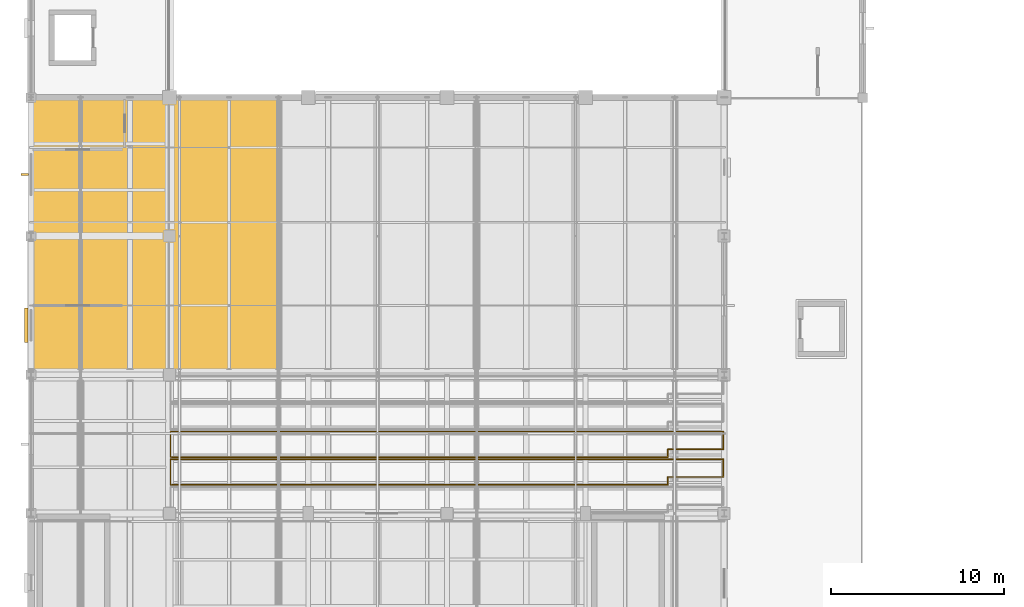
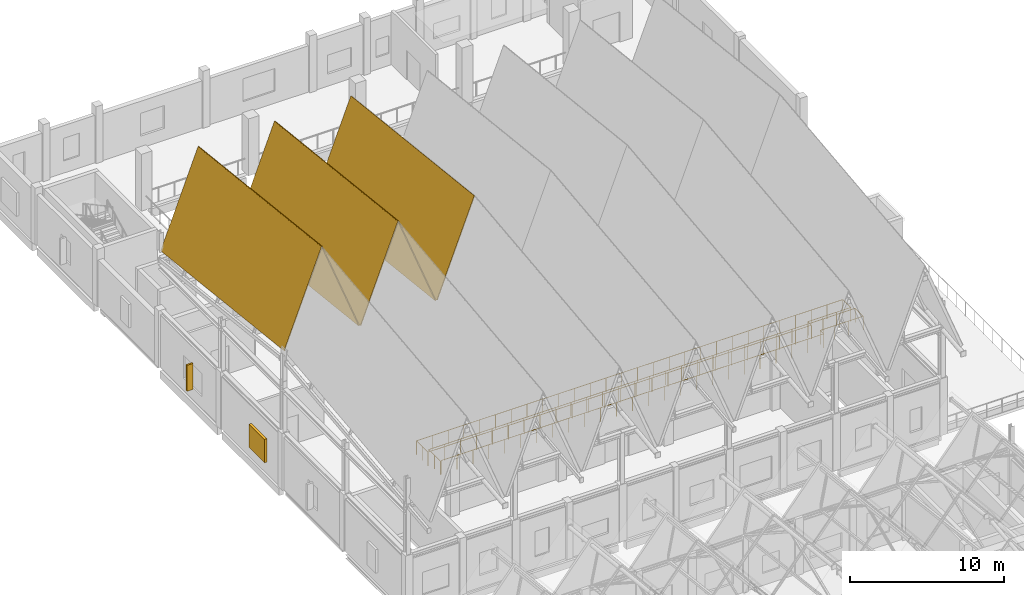
# One storey, part 67 of 77: 5 coverings, 2 railings, 2 shading devices.
"""IFC4 building model written with IfcOpenShell, lengths in metres."""

from ifc_helpers import new_model, si_unit, direction, frame, origin, origin_2d, place, context, subcontext, project, spatial, polyline, rectangle, circle, outline, extrude, material, layer, layer_set, type_object, element, save


model = new_model("IFC4")

# Units and contexts
model_context = context("Model", 3, precision=1e-05, world=origin(), true_north=direction((0.0, 1.0)))
body_context = subcontext(model_context, "Body", "Model", "MODEL_VIEW")
ifc_project = project(units=[si_unit("LENGTHUNIT", "METRE"), si_unit("AREAUNIT", "SQUARE_METRE"), si_unit("VOLUMEUNIT", "CUBIC_METRE"), si_unit("PLANEANGLEUNIT", "RADIAN"), si_unit("MASSUNIT", "GRAM", prefix="KILO")], contexts=[model_context])

# Site, building, storey
site_placement = place(None, origin())
site = spatial("IfcSite", under=ifc_project, at=site_placement, CompositionType="ELEMENT")
building_placement = place(site_placement, origin())
building = spatial("IfcBuilding", under=site, at=building_placement, Name="Luwemba Playhouse", CompositionType="ELEMENT")
storey_placement = place(building_placement, frame((0.0, 0.0, 9.300048828125)))
storey = spatial("IfcBuildingStorey", under=building, at=storey_placement, Name="L02", CompositionType="ELEMENT", Elevation=9.300048828125)

# Coverings
ifc_material_1 = material(Name="Glazed terracotta clay roof tile", Category="masonry")
ifc_layer = layer(ifc_material_1, 0.06494140625)
ifc_layer_set = layer_set([ifc_layer], Name="Glazed terracotta clay roof tile")
covering_type = type_object("IfcCoveringType", Name="COV-ROOF-TILE", PredefinedType="ROOFING", material=ifc_layer_set)
covering_1_placement = place(storey_placement, frame((4.02490234375, 52.0, 10.785400390625), z_axis=(-0.932207120249, 0.040343202926, 0.359669724795), x_axis=(0.359962777117, 0.0, 0.932966665583)))
element("IfcCovering", 1, at=covering_1_placement, inside=storey, type_object=covering_type, Name="RF-V1 glazed clay-tile roofing 1N", PredefinedType="ROOFING", context=body_context, shape_type="SweptSolid", body=[
    extrude(outline(polyline([(0.0, 0.0), (7.798386624108571, 1.3877787807814457e-17), (6.124012122471901, 16.013036507749877), (-1.6743745016366696, 16.013036507749877), (0.0, 0.0)])), origin(), (0.0, 0.0, -1.0), 0.06494140625),
])
covering_2_placement = place(storey_placement, frame((6.882080078125, 52.0, 18.061279296875), z_axis=(0.932211217574, 0.040342026533, 0.359659236953), x_axis=(0.359952263619, 0.0, -0.932970721896)))
element("IfcCovering", 2, at=covering_2_placement, inside=storey, type_object=covering_type, Name="RF-V1 glazed clay-tile roofing 2N", PredefinedType="ROOFING", context=body_context, shape_type="SweptSolid", body=[
    extrude(outline(polyline([(0.0, 0.0), (7.798614399668574, 0.0), (9.472996181079711, 16.01303574655162), (1.6743817814111364, 16.013035746551616), (0.0, 0.0)])), origin(), (0.0, 0.0, -1.0), 0.06494140625),
])
covering_3_placement = place(storey_placement, frame((9.7392578125, 52.0, 10.785400390625), z_axis=(-0.932207120249, 0.040343202926, 0.359669724795), x_axis=(0.359962777117, 0.0, 0.932966665583)))
element("IfcCovering", 3, at=covering_3_placement, inside=storey, type_object=covering_type, Name="RF-V1 glazed clay-tile roofing 3N", PredefinedType="ROOFING", context=body_context, shape_type="SweptSolid", body=[
    extrude(outline(polyline([(0.0, 0.0), (7.798386624108571, 1.3877787807814457e-17), (6.124012122471901, 16.013036507749877), (-1.6743745016366696, 16.013036507749877), (0.0, 0.0)])), origin(), (0.0, 0.0, -1.0), 0.06494140625),
])
covering_4_placement = place(storey_placement, frame((12.596435546875, 52.0, 18.061279296875), z_axis=(0.932211217574, 0.040342026533, 0.359659236953), x_axis=(0.359952263619, 0.0, -0.932970721896)))
element("IfcCovering", 4, at=covering_4_placement, inside=storey, type_object=covering_type, Name="RF-V1 glazed clay-tile roofing 4N", PredefinedType="ROOFING", context=body_context, shape_type="SweptSolid", body=[
    extrude(outline(polyline([(0.0, 0.0), (7.798614399668574, 0.0), (9.472996181079711, 16.01303574655162), (1.6743817814111364, 16.013035746551616), (0.0, 0.0)])), origin(), (0.0, 0.0, -1.0), 0.06494140625),
])
covering_5_placement = place(storey_placement, frame((15.45361328125, 52.0, 10.785400390625), z_axis=(-0.932207120249, 0.040343202926, 0.359669724795), x_axis=(0.359962777117, 0.0, 0.932966665583)))
element("IfcCovering", 5, at=covering_5_placement, inside=storey, type_object=covering_type, Name="RF-V1 glazed clay-tile roofing 5N", PredefinedType="ROOFING", context=body_context, shape_type="SweptSolid", body=[
    extrude(outline(polyline([(0.0, 0.0), (7.798386624108571, 1.3877787807814457e-17), (6.124012122471901, 16.013036507749877), (-1.6743745016366696, 16.013036507749877), (0.0, 0.0)])), origin(), (0.0, 0.0, -1.0), 0.06494140625),
])

# Railings
ifc_material_2 = material(Name="Painted wrought-iron gallery balustrade", Category="steel")
railing_type = type_object("IfcRailingType", Name="RLG-BAL-INT", PredefinedType="BALUSTRADE", material=ifc_material_2)
railing_1_placement = place(storey_placement, frame((12.050048828125, 45.64990234375, 2.02001953125)))
element("IfcRailing", 6, at=railing_1_placement, inside=storey, type_object=railing_type, Name="Stand Upper Circle Bay 2 perimeter balustrade", PredefinedType="BALUSTRADE", context=body_context, shape_type="SweptSolid", body=[
    extrude(circle(Radius=0.02392578125, at=origin_2d()), frame((0.0, 0.0, 1.09619140625), z_axis=(0.0, 1.0, 0.0), x_axis=(-1.0, 0.0, 0.0)), (0.0, 0.0, 1.0), 1.47998046875),
    extrude(circle(Radius=0.02392578125, at=origin_2d()), frame((0.0, 1.47998046875, 1.09619140625), z_axis=(1.0, 0.0, 0.0), x_axis=(0.0, 1.0, 0.0)), (0.0, 0.0, 1.0), 31.89990234375),
    extrude(circle(Radius=0.02392578125, at=origin_2d()), frame((31.89990234375, 1.47998046875, 1.09619140625), z_axis=(0.0, -1.0, 0.0), x_axis=(1.0, 0.0, 0.0)), (0.0, 0.0, 1.0), 1.02978515625),
    extrude(circle(Radius=0.02392578125, at=origin_2d()), frame((31.89990234375, 0.4501953125, 1.09619140625), z_axis=(-1.0, 0.0, 0.0), x_axis=(0.0, -1.0, 0.0)), (0.0, 0.0, 1.0), 3.199951171875),
    extrude(circle(Radius=0.02392578125, at=origin_2d()), frame((28.699951171875, 0.4501953125, 1.09619140625), z_axis=(0.0, -1.0, 0.0), x_axis=(1.0, 0.0, 0.0)), (0.0, 0.0, 1.0), 0.4501953125),
    extrude(circle(Radius=0.02392578125, at=origin_2d()), frame((28.699951171875, 0.0, 1.09619140625), z_axis=(-1.0, 0.0, 0.0), x_axis=(0.0, -1.0, 0.0)), (0.0, 0.0, 1.0), 28.639892578125),
    extrude(circle(Radius=0.02099609375, at=origin_2d()), origin(), (0.0, 0.0, 1.0), 1.072021484375),
    extrude(circle(Radius=0.02099609375, at=origin_2d()), frame((0.0, 0.739990234375, 0.0)), (0.0, 0.0, 1.0), 1.072021484375),
    extrude(circle(Radius=0.02099609375, at=origin_2d()), frame((0.0, 1.47998046875, 0.0)), (0.0, 0.0, 1.0), 1.072021484375),
    extrude(circle(Radius=0.02099609375, at=origin_2d()), frame((1.181396484375, 1.47998046875, 0.0)), (0.0, 0.0, 1.0), 1.072021484375),
    extrude(circle(Radius=0.02099609375, at=origin_2d()), frame((2.363037109375, 1.47998046875, 0.0)), (0.0, 0.0, 1.0), 1.072021484375),
    extrude(circle(Radius=0.02099609375, at=origin_2d()), frame((3.54443359375, 1.47998046875, 0.0)), (0.0, 0.0, 1.0), 1.072021484375),
    extrude(circle(Radius=0.02099609375, at=origin_2d()), frame((4.725830078125, 1.47998046875, 0.0)), (0.0, 0.0, 1.0), 1.072021484375),
    extrude(circle(Radius=0.02099609375, at=origin_2d()), frame((5.907470703125, 1.47998046875, 0.0)), (0.0, 0.0, 1.0), 1.072021484375),
    extrude(circle(Radius=0.02099609375, at=origin_2d()), frame((7.0888671875, 1.47998046875, 0.0)), (0.0, 0.0, 1.0), 1.072021484375),
    extrude(circle(Radius=0.02099609375, at=origin_2d()), frame((8.270263671875, 1.47998046875, 0.0)), (0.0, 0.0, 1.0), 1.072021484375),
    extrude(circle(Radius=0.02099609375, at=origin_2d()), frame((9.451904296875, 1.47998046875, 0.0)), (0.0, 0.0, 1.0), 1.072021484375),
    extrude(circle(Radius=0.02099609375, at=origin_2d()), frame((10.63330078125, 1.47998046875, 0.0)), (0.0, 0.0, 1.0), 1.072021484375),
    extrude(circle(Radius=0.02099609375, at=origin_2d()), frame((11.814697265625, 1.47998046875, 0.0)), (0.0, 0.0, 1.0), 1.072021484375),
    extrude(circle(Radius=0.02099609375, at=origin_2d()), frame((12.996337890625, 1.47998046875, 0.0)), (0.0, 0.0, 1.0), 1.072021484375),
    extrude(circle(Radius=0.02099609375, at=origin_2d()), frame((14.177734375, 1.47998046875, 0.0)), (0.0, 0.0, 1.0), 1.072021484375),
    extrude(circle(Radius=0.02099609375, at=origin_2d()), frame((15.359130859375, 1.47998046875, 0.0)), (0.0, 0.0, 1.0), 1.072021484375),
    extrude(circle(Radius=0.02099609375, at=origin_2d()), frame((16.540771484375, 1.47998046875, 0.0)), (0.0, 0.0, 1.0), 1.072021484375),
    extrude(circle(Radius=0.02099609375, at=origin_2d()), frame((17.72216796875, 1.47998046875, 0.0)), (0.0, 0.0, 1.0), 1.072021484375),
    extrude(circle(Radius=0.02099609375, at=origin_2d()), frame((18.903564453125, 1.47998046875, 0.0)), (0.0, 0.0, 1.0), 1.072021484375),
    extrude(circle(Radius=0.02099609375, at=origin_2d()), frame((20.085205078125, 1.47998046875, 0.0)), (0.0, 0.0, 1.0), 1.072021484375),
    extrude(circle(Radius=0.02099609375, at=origin_2d()), frame((21.2666015625, 1.47998046875, 0.0)), (0.0, 0.0, 1.0), 1.072021484375),
    extrude(circle(Radius=0.02099609375, at=origin_2d()), frame((22.447998046875, 1.47998046875, 0.0)), (0.0, 0.0, 1.0), 1.072021484375),
    extrude(circle(Radius=0.02099609375, at=origin_2d()), frame((23.629638671875, 1.47998046875, 0.0)), (0.0, 0.0, 1.0), 1.072021484375),
    extrude(circle(Radius=0.02099609375, at=origin_2d()), frame((24.81103515625, 1.47998046875, 0.0)), (0.0, 0.0, 1.0), 1.072021484375),
    extrude(circle(Radius=0.02099609375, at=origin_2d()), frame((25.992431640625, 1.47998046875, 0.0)), (0.0, 0.0, 1.0), 1.072021484375),
    extrude(circle(Radius=0.02099609375, at=origin_2d()), frame((27.174072265625, 1.47998046875, 0.0)), (0.0, 0.0, 1.0), 1.072021484375),
    extrude(circle(Radius=0.02099609375, at=origin_2d()), frame((28.35546875, 1.47998046875, 0.0)), (0.0, 0.0, 1.0), 1.072021484375),
    extrude(circle(Radius=0.02099609375, at=origin_2d()), frame((29.536865234375, 1.47998046875, 0.0)), (0.0, 0.0, 1.0), 1.072021484375),
    extrude(circle(Radius=0.02099609375, at=origin_2d()), frame((30.718505859375, 1.47998046875, 0.0)), (0.0, 0.0, 1.0), 1.072021484375),
    extrude(circle(Radius=0.02099609375, at=origin_2d()), frame((31.89990234375, 1.47998046875, 0.0)), (0.0, 0.0, 1.0), 1.072021484375),
    extrude(circle(Radius=0.02099609375, at=origin_2d()), frame((31.89990234375, 0.4501953125, 0.0)), (0.0, 0.0, 1.0), 1.072021484375),
    extrude(circle(Radius=0.02099609375, at=origin_2d()), frame((30.833251953125, 0.4501953125, 0.0)), (0.0, 0.0, 1.0), 1.072021484375),
    extrude(circle(Radius=0.02099609375, at=origin_2d()), frame((29.7666015625, 0.4501953125, 0.0)), (0.0, 0.0, 1.0), 1.072021484375),
    extrude(circle(Radius=0.02099609375, at=origin_2d()), frame((28.699951171875, 0.4501953125, 0.0)), (0.0, 0.0, 1.0), 1.072021484375),
    extrude(circle(Radius=0.02099609375, at=origin_2d()), frame((28.699951171875, 0.0, 0.0)), (0.0, 0.0, 1.0), 1.072021484375),
    extrude(circle(Radius=0.02099609375, at=origin_2d()), frame((27.506591796875, 0.0, 0.0)), (0.0, 0.0, 1.0), 1.072021484375),
    extrude(circle(Radius=0.02099609375, at=origin_2d()), frame((26.313232421875, 0.0, 0.0)), (0.0, 0.0, 1.0), 1.072021484375),
    extrude(circle(Radius=0.02099609375, at=origin_2d()), frame((25.119873046875, 0.0, 0.0)), (0.0, 0.0, 1.0), 1.072021484375),
    extrude(circle(Radius=0.02099609375, at=origin_2d()), frame((23.9267578125, 0.0, 0.0)), (0.0, 0.0, 1.0), 1.072021484375),
    extrude(circle(Radius=0.02099609375, at=origin_2d()), frame((22.7333984375, 0.0, 0.0)), (0.0, 0.0, 1.0), 1.072021484375),
    extrude(circle(Radius=0.02099609375, at=origin_2d()), frame((21.5400390625, 0.0, 0.0)), (0.0, 0.0, 1.0), 1.072021484375),
    extrude(circle(Radius=0.02099609375, at=origin_2d()), frame((20.3466796875, 0.0, 0.0)), (0.0, 0.0, 1.0), 1.072021484375),
    extrude(circle(Radius=0.02099609375, at=origin_2d()), frame((19.1533203125, 0.0, 0.0)), (0.0, 0.0, 1.0), 1.072021484375),
    extrude(circle(Radius=0.02099609375, at=origin_2d()), frame((17.9599609375, 0.0, 0.0)), (0.0, 0.0, 1.0), 1.072021484375),
    extrude(circle(Radius=0.02099609375, at=origin_2d()), frame((16.7666015625, 0.0, 0.0)), (0.0, 0.0, 1.0), 1.072021484375),
    extrude(circle(Radius=0.02099609375, at=origin_2d()), frame((15.5732421875, 0.0, 0.0)), (0.0, 0.0, 1.0), 1.072021484375),
    extrude(circle(Radius=0.02099609375, at=origin_2d()), frame((14.3798828125, 0.0, 0.0)), (0.0, 0.0, 1.0), 1.072021484375),
    extrude(circle(Radius=0.02099609375, at=origin_2d()), frame((13.186767578125, 0.0, 0.0)), (0.0, 0.0, 1.0), 1.072021484375),
    extrude(circle(Radius=0.02099609375, at=origin_2d()), frame((11.993408203125, 0.0, 0.0)), (0.0, 0.0, 1.0), 1.072021484375),
    extrude(circle(Radius=0.02099609375, at=origin_2d()), frame((10.800048828125, 0.0, 0.0)), (0.0, 0.0, 1.0), 1.072021484375),
    extrude(circle(Radius=0.02099609375, at=origin_2d()), frame((9.606689453125, 0.0, 0.0)), (0.0, 0.0, 1.0), 1.072021484375),
    extrude(circle(Radius=0.02099609375, at=origin_2d()), frame((8.413330078125, 0.0, 0.0)), (0.0, 0.0, 1.0), 1.072021484375),
    extrude(circle(Radius=0.02099609375, at=origin_2d()), frame((7.219970703125, 0.0, 0.0)), (0.0, 0.0, 1.0), 1.072021484375),
    extrude(circle(Radius=0.02099609375, at=origin_2d()), frame((6.026611328125, 0.0, 0.0)), (0.0, 0.0, 1.0), 1.072021484375),
    extrude(circle(Radius=0.02099609375, at=origin_2d()), frame((4.83349609375, 0.0, 0.0)), (0.0, 0.0, 1.0), 1.072021484375),
    extrude(circle(Radius=0.02099609375, at=origin_2d()), frame((3.64013671875, 0.0, 0.0)), (0.0, 0.0, 1.0), 1.072021484375),
    extrude(circle(Radius=0.02099609375, at=origin_2d()), frame((2.44677734375, 0.0, 0.0)), (0.0, 0.0, 1.0), 1.072021484375),
    extrude(circle(Radius=0.02099609375, at=origin_2d()), frame((1.25341796875, 0.0, 0.0)), (0.0, 0.0, 1.0), 1.072021484375),
    extrude(circle(Radius=0.02099609375, at=origin_2d()), frame((0.06005859375, 0.0, 0.0)), (0.0, 0.0, 1.0), 1.072021484375),
])
railing_2_placement = place(storey_placement, frame((12.050048828125, 47.25, 1.739990234375)))
element("IfcRailing", 7, at=railing_2_placement, inside=storey, type_object=railing_type, Name="Stand Upper Circle Bay 3 perimeter balustrade", PredefinedType="BALUSTRADE", context=body_context, shape_type="SweptSolid", body=[
    extrude(circle(Radius=0.02392578125, at=origin_2d()), frame((0.0, 0.0, 1.09619140625), z_axis=(0.0, 1.0, 0.0), x_axis=(-1.0, 0.0, 0.0)), (0.0, 0.0, 1.0), 1.47998046875),
    extrude(circle(Radius=0.02392578125, at=origin_2d()), frame((0.0, 1.47998046875, 1.09619140625), z_axis=(1.0, 0.0, 0.0), x_axis=(0.0, 1.0, 0.0)), (0.0, 0.0, 1.0), 31.89990234375),
    extrude(circle(Radius=0.02392578125, at=origin_2d()), frame((31.89990234375, 1.47998046875, 1.09619140625), z_axis=(0.0, -1.0, 0.0), x_axis=(1.0, 0.0, 0.0)), (0.0, 0.0, 1.0), 1.030029296875),
    extrude(circle(Radius=0.02392578125, at=origin_2d()), frame((31.89990234375, 0.449951171875, 1.09619140625), z_axis=(-1.0, 0.0, 0.0), x_axis=(0.0, -1.0, 0.0)), (0.0, 0.0, 1.0), 3.199951171875),
    extrude(circle(Radius=0.02392578125, at=origin_2d()), frame((28.699951171875, 0.449951171875, 1.09619140625), z_axis=(0.0, -1.0, 0.0), x_axis=(1.0, 0.0, 0.0)), (0.0, 0.0, 1.0), 0.449951171875),
    extrude(circle(Radius=0.02392578125, at=origin_2d()), frame((28.699951171875, 0.0, 1.09619140625), z_axis=(-1.0, 0.0, 0.0), x_axis=(0.0, -1.0, 0.0)), (0.0, 0.0, 1.0), 28.639892578125),
    extrude(circle(Radius=0.02099609375, at=origin_2d()), origin(), (0.0, 0.0, 1.0), 1.072021484375),
    extrude(circle(Radius=0.02099609375, at=origin_2d()), frame((0.0, 0.739990234375, 0.0)), (0.0, 0.0, 1.0), 1.072021484375),
    extrude(circle(Radius=0.02099609375, at=origin_2d()), frame((0.0, 1.47998046875, 0.0)), (0.0, 0.0, 1.0), 1.072021484375),
    extrude(circle(Radius=0.02099609375, at=origin_2d()), frame((1.181396484375, 1.47998046875, 0.0)), (0.0, 0.0, 1.0), 1.072021484375),
    extrude(circle(Radius=0.02099609375, at=origin_2d()), frame((2.363037109375, 1.47998046875, 0.0)), (0.0, 0.0, 1.0), 1.072021484375),
    extrude(circle(Radius=0.02099609375, at=origin_2d()), frame((3.54443359375, 1.47998046875, 0.0)), (0.0, 0.0, 1.0), 1.072021484375),
    extrude(circle(Radius=0.02099609375, at=origin_2d()), frame((4.725830078125, 1.47998046875, 0.0)), (0.0, 0.0, 1.0), 1.072021484375),
    extrude(circle(Radius=0.02099609375, at=origin_2d()), frame((5.907470703125, 1.47998046875, 0.0)), (0.0, 0.0, 1.0), 1.072021484375),
    extrude(circle(Radius=0.02099609375, at=origin_2d()), frame((7.0888671875, 1.47998046875, 0.0)), (0.0, 0.0, 1.0), 1.072021484375),
    extrude(circle(Radius=0.02099609375, at=origin_2d()), frame((8.270263671875, 1.47998046875, 0.0)), (0.0, 0.0, 1.0), 1.072021484375),
    extrude(circle(Radius=0.02099609375, at=origin_2d()), frame((9.451904296875, 1.47998046875, 0.0)), (0.0, 0.0, 1.0), 1.072021484375),
    extrude(circle(Radius=0.02099609375, at=origin_2d()), frame((10.63330078125, 1.47998046875, 0.0)), (0.0, 0.0, 1.0), 1.072021484375),
    extrude(circle(Radius=0.02099609375, at=origin_2d()), frame((11.814697265625, 1.47998046875, 0.0)), (0.0, 0.0, 1.0), 1.072021484375),
    extrude(circle(Radius=0.02099609375, at=origin_2d()), frame((12.996337890625, 1.47998046875, 0.0)), (0.0, 0.0, 1.0), 1.072021484375),
    extrude(circle(Radius=0.02099609375, at=origin_2d()), frame((14.177734375, 1.47998046875, 0.0)), (0.0, 0.0, 1.0), 1.072021484375),
    extrude(circle(Radius=0.02099609375, at=origin_2d()), frame((15.359130859375, 1.47998046875, 0.0)), (0.0, 0.0, 1.0), 1.072021484375),
    extrude(circle(Radius=0.02099609375, at=origin_2d()), frame((16.540771484375, 1.47998046875, 0.0)), (0.0, 0.0, 1.0), 1.072021484375),
    extrude(circle(Radius=0.02099609375, at=origin_2d()), frame((17.72216796875, 1.47998046875, 0.0)), (0.0, 0.0, 1.0), 1.072021484375),
    extrude(circle(Radius=0.02099609375, at=origin_2d()), frame((18.903564453125, 1.47998046875, 0.0)), (0.0, 0.0, 1.0), 1.072021484375),
    extrude(circle(Radius=0.02099609375, at=origin_2d()), frame((20.085205078125, 1.47998046875, 0.0)), (0.0, 0.0, 1.0), 1.072021484375),
    extrude(circle(Radius=0.02099609375, at=origin_2d()), frame((21.2666015625, 1.47998046875, 0.0)), (0.0, 0.0, 1.0), 1.072021484375),
    extrude(circle(Radius=0.02099609375, at=origin_2d()), frame((22.447998046875, 1.47998046875, 0.0)), (0.0, 0.0, 1.0), 1.072021484375),
    extrude(circle(Radius=0.02099609375, at=origin_2d()), frame((23.629638671875, 1.47998046875, 0.0)), (0.0, 0.0, 1.0), 1.072021484375),
    extrude(circle(Radius=0.02099609375, at=origin_2d()), frame((24.81103515625, 1.47998046875, 0.0)), (0.0, 0.0, 1.0), 1.072021484375),
    extrude(circle(Radius=0.02099609375, at=origin_2d()), frame((25.992431640625, 1.47998046875, 0.0)), (0.0, 0.0, 1.0), 1.072021484375),
    extrude(circle(Radius=0.02099609375, at=origin_2d()), frame((27.174072265625, 1.47998046875, 0.0)), (0.0, 0.0, 1.0), 1.072021484375),
    extrude(circle(Radius=0.02099609375, at=origin_2d()), frame((28.35546875, 1.47998046875, 0.0)), (0.0, 0.0, 1.0), 1.072021484375),
    extrude(circle(Radius=0.02099609375, at=origin_2d()), frame((29.536865234375, 1.47998046875, 0.0)), (0.0, 0.0, 1.0), 1.072021484375),
    extrude(circle(Radius=0.02099609375, at=origin_2d()), frame((30.718505859375, 1.47998046875, 0.0)), (0.0, 0.0, 1.0), 1.072021484375),
    extrude(circle(Radius=0.02099609375, at=origin_2d()), frame((31.89990234375, 1.47998046875, 0.0)), (0.0, 0.0, 1.0), 1.072021484375),
    extrude(circle(Radius=0.02099609375, at=origin_2d()), frame((31.89990234375, 0.449951171875, 0.0)), (0.0, 0.0, 1.0), 1.072021484375),
    extrude(circle(Radius=0.02099609375, at=origin_2d()), frame((30.833251953125, 0.449951171875, 0.0)), (0.0, 0.0, 1.0), 1.072021484375),
    extrude(circle(Radius=0.02099609375, at=origin_2d()), frame((29.7666015625, 0.449951171875, 0.0)), (0.0, 0.0, 1.0), 1.072021484375),
    extrude(circle(Radius=0.02099609375, at=origin_2d()), frame((28.699951171875, 0.449951171875, 0.0)), (0.0, 0.0, 1.0), 1.072021484375),
    extrude(circle(Radius=0.02099609375, at=origin_2d()), frame((28.699951171875, 0.0, 0.0)), (0.0, 0.0, 1.0), 1.072021484375),
    extrude(circle(Radius=0.02099609375, at=origin_2d()), frame((27.506591796875, 0.0, 0.0)), (0.0, 0.0, 1.0), 1.072021484375),
    extrude(circle(Radius=0.02099609375, at=origin_2d()), frame((26.313232421875, 0.0, 0.0)), (0.0, 0.0, 1.0), 1.072021484375),
    extrude(circle(Radius=0.02099609375, at=origin_2d()), frame((25.119873046875, 0.0, 0.0)), (0.0, 0.0, 1.0), 1.072021484375),
    extrude(circle(Radius=0.02099609375, at=origin_2d()), frame((23.9267578125, 0.0, 0.0)), (0.0, 0.0, 1.0), 1.072021484375),
    extrude(circle(Radius=0.02099609375, at=origin_2d()), frame((22.7333984375, 0.0, 0.0)), (0.0, 0.0, 1.0), 1.072021484375),
    extrude(circle(Radius=0.02099609375, at=origin_2d()), frame((21.5400390625, 0.0, 0.0)), (0.0, 0.0, 1.0), 1.072021484375),
    extrude(circle(Radius=0.02099609375, at=origin_2d()), frame((20.3466796875, 0.0, 0.0)), (0.0, 0.0, 1.0), 1.072021484375),
    extrude(circle(Radius=0.02099609375, at=origin_2d()), frame((19.1533203125, 0.0, 0.0)), (0.0, 0.0, 1.0), 1.072021484375),
    extrude(circle(Radius=0.02099609375, at=origin_2d()), frame((17.9599609375, 0.0, 0.0)), (0.0, 0.0, 1.0), 1.072021484375),
    extrude(circle(Radius=0.02099609375, at=origin_2d()), frame((16.7666015625, 0.0, 0.0)), (0.0, 0.0, 1.0), 1.072021484375),
    extrude(circle(Radius=0.02099609375, at=origin_2d()), frame((15.5732421875, 0.0, 0.0)), (0.0, 0.0, 1.0), 1.072021484375),
    extrude(circle(Radius=0.02099609375, at=origin_2d()), frame((14.3798828125, 0.0, 0.0)), (0.0, 0.0, 1.0), 1.072021484375),
    extrude(circle(Radius=0.02099609375, at=origin_2d()), frame((13.186767578125, 0.0, 0.0)), (0.0, 0.0, 1.0), 1.072021484375),
    extrude(circle(Radius=0.02099609375, at=origin_2d()), frame((11.993408203125, 0.0, 0.0)), (0.0, 0.0, 1.0), 1.072021484375),
    extrude(circle(Radius=0.02099609375, at=origin_2d()), frame((10.800048828125, 0.0, 0.0)), (0.0, 0.0, 1.0), 1.072021484375),
    extrude(circle(Radius=0.02099609375, at=origin_2d()), frame((9.606689453125, 0.0, 0.0)), (0.0, 0.0, 1.0), 1.072021484375),
    extrude(circle(Radius=0.02099609375, at=origin_2d()), frame((8.413330078125, 0.0, 0.0)), (0.0, 0.0, 1.0), 1.072021484375),
    extrude(circle(Radius=0.02099609375, at=origin_2d()), frame((7.219970703125, 0.0, 0.0)), (0.0, 0.0, 1.0), 1.072021484375),
    extrude(circle(Radius=0.02099609375, at=origin_2d()), frame((6.026611328125, 0.0, 0.0)), (0.0, 0.0, 1.0), 1.072021484375),
    extrude(circle(Radius=0.02099609375, at=origin_2d()), frame((4.83349609375, 0.0, 0.0)), (0.0, 0.0, 1.0), 1.072021484375),
    extrude(circle(Radius=0.02099609375, at=origin_2d()), frame((3.64013671875, 0.0, 0.0)), (0.0, 0.0, 1.0), 1.072021484375),
    extrude(circle(Radius=0.02099609375, at=origin_2d()), frame((2.44677734375, 0.0, 0.0)), (0.0, 0.0, 1.0), 1.072021484375),
    extrude(circle(Radius=0.02099609375, at=origin_2d()), frame((1.25341796875, 0.0, 0.0)), (0.0, 0.0, 1.0), 1.072021484375),
    extrude(circle(Radius=0.02099609375, at=origin_2d()), frame((0.06005859375, 0.0, 0.0)), (0.0, 0.0, 1.0), 1.072021484375),
])

# Shading devices
ifc_material_3 = material(Name="Extruded terracotta brise-soleil fin on steel bracket", Category="masonry")
shading_device_type_1 = type_object("IfcShadingDeviceType", Name="SHD-BRISE", PredefinedType="USERDEFINED", material=ifc_material_3)
shading_device_1_placement = place(storey_placement, frame((3.639892578125, 63.56005859375, 0.82470703125), z_axis=(0.0, 0.0, 1.0), x_axis=(0.0, 1.0, 0.0)))
element("IfcShadingDevice", 8, at=shading_device_1_placement, inside=storey, type_object=shading_device_type_1, Name="L02 terracotta brise-soleil fin 041", ObjectType="TERRACOTTA BRISE SOLEIL", PredefinedType="USERDEFINED", context=body_context, shape_type="SweptSolid", body=[
    extrude(rectangle(XDim=0.139892578125, YDim=0.449951171875, at=origin_2d()), origin(), (0.0, 0.0, 1.0), 2.050048828125),
])
ifc_material_4 = material(Name="Kiln-fired terracotta gelosia louvre screen", Category="masonry")
shading_device_type_2 = type_object("IfcShadingDeviceType", Name="SHD-GELOSIA", PredefinedType="JALOUSIE", material=ifc_material_4)
shading_device_2_placement = place(storey_placement, frame((3.72509765625, 54.860107421875, 0.9248046875), z_axis=(0.0, 0.0, 1.0), x_axis=(0.0, 1.0, 0.0)))
element("IfcShadingDevice", 9, at=shading_device_2_placement, inside=storey, type_object=shading_device_type_2, Name="L02 fired-clay gelosia screen 040", PredefinedType="JALOUSIE", context=body_context, shape_type="SweptSolid", body=[
    extrude(rectangle(XDim=2.0, YDim=0.179931640625, at=origin_2d()), origin(), (0.0, 0.0, 1.0), 1.85009765625),
])

save(model, "model.ifc")
